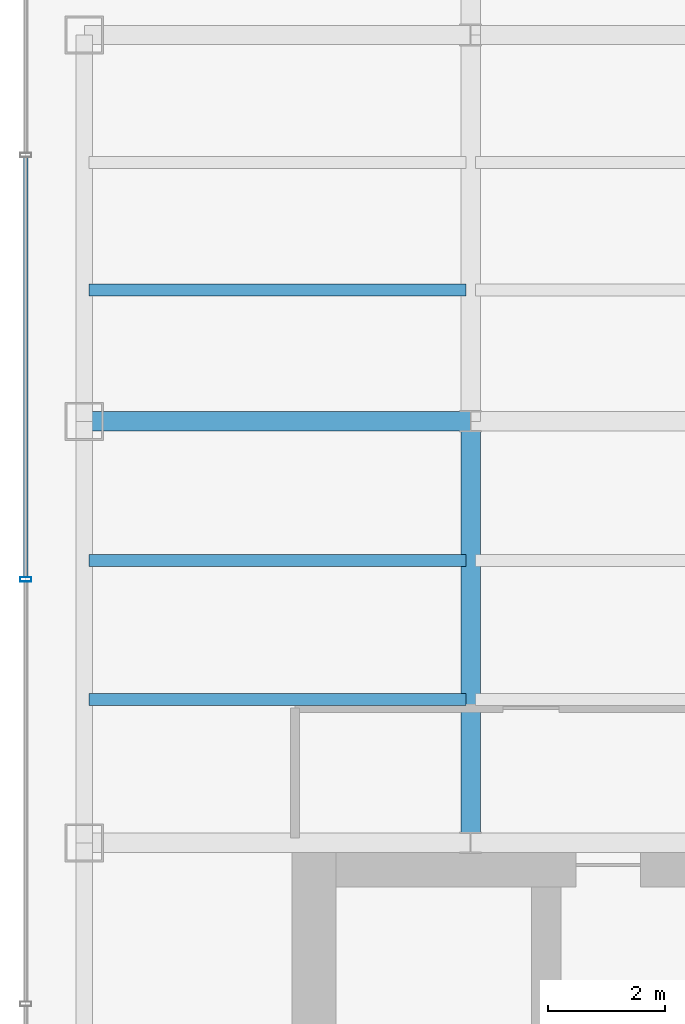
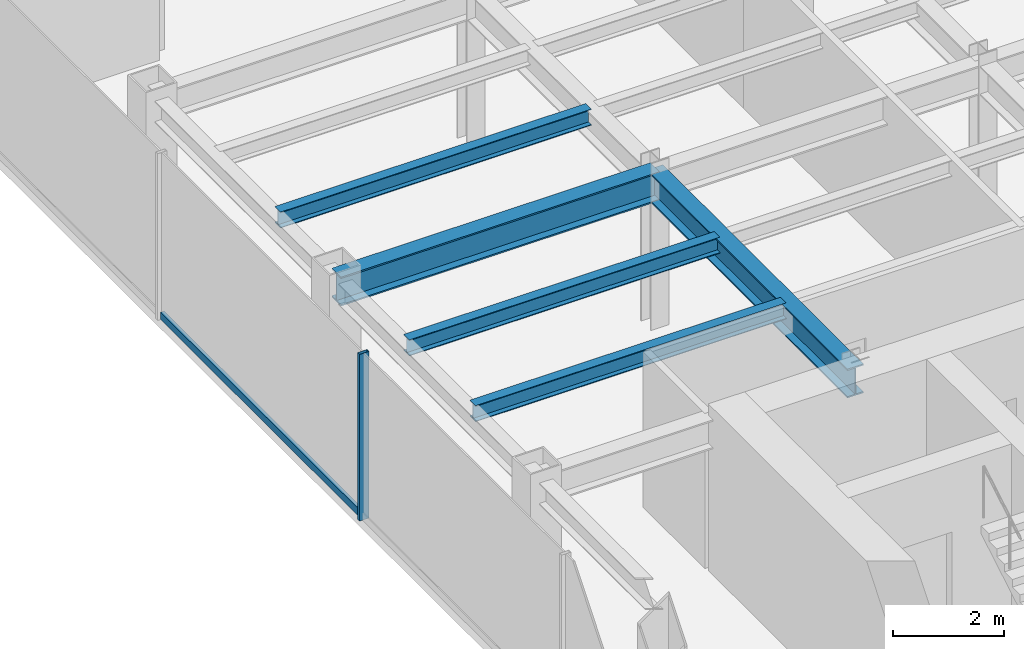
# One storey, part 5 of 25: 5 beams, 2 members, 1 element without a shape of its own.
"""IFC4 building model written with IfcOpenShell, lengths in metres."""

from ifc_helpers import new_model, si_unit, derived_unit, direction, frame, origin, origin_2d, place, context, subcontext, project, spatial, hollow_rectangle, i_section, extrude, source, transform, mapped, material, material_profile, profile_set, type_object, element, aggregate, save


model = new_model("IFC4")

# Units and contexts
model_context = context("Model", 3, precision=1e-05, world=origin(), true_north=direction((0.0, 1.0)))
body_context = subcontext(model_context, "Body", "Model", "MODEL_VIEW")
ifc_project = project(units=[si_unit("LENGTHUNIT", "METRE"), si_unit("AREAUNIT", "SQUARE_METRE"), si_unit("VOLUMEUNIT", "CUBIC_METRE"), si_unit("PLANEANGLEUNIT", "RADIAN"), si_unit("MASSUNIT", "GRAM", prefix="KILO"), derived_unit("THERMALTRANSMITTANCEUNIT", [(si_unit("POWERUNIT", "WATT"), 1), (si_unit("LENGTHUNIT", "METRE"), -2), (si_unit("THERMODYNAMICTEMPERATUREUNIT", "KELVIN"), -1)])], contexts=[model_context])

# Site, building, storey
site_placement = place(None, origin())
site = spatial("IfcSite", under=ifc_project, at=site_placement, CompositionType="ELEMENT")
building_placement = place(site_placement, origin())
building = spatial("IfcBuilding", under=site, at=building_placement, Name="Skarnbrae Concourse Arena and Tower", CompositionType="ELEMENT")
storey_placement = place(building_placement, frame((0.0, 0.0, 166.14990234375)))
storey = spatial("IfcBuildingStorey", under=building, at=storey_placement, Name="L42", CompositionType="ELEMENT", Elevation=166.14990234375)

# Beams
ifc_material_1 = material(Name="Steel CSA G40.21 350W", Category="steel")
ifc_material_profile_1 = material_profile(ifc_material_1, i_section(OverallWidth=0.3291015625, OverallDepth=0.635009765625, WebThickness=0.017822265625, FlangeThickness=0.031005859375, at=origin_2d()), Name="W610X241")
ifc_profile_set_1 = profile_set([ifc_material_profile_1], Name="Steel CSA G40.21 350W")
beam_type_1 = type_object("IfcBeamType", Name="BM-GIRD-W610X241", PredefinedType="BEAM", material=ifc_profile_set_1)
shared_shape_1 = source(origin(), body_context, "Body", "SweptSolid", [
    extrude(i_section(OverallWidth=0.3291015625, OverallDepth=0.635009765625, WebThickness=0.017822265625, FlangeThickness=0.031005859375, at=origin_2d()), origin(), (0.0, 0.0, 1.0), 6.60009765625),
])
beam_1_placement = place(storey_placement, frame((1.0, 21.199951171875, 3.08251953125), z_axis=(1.0, 0.0, 0.0), x_axis=(0.0, 1.0, 0.0)))
element("IfcBeam", 1, at=beam_1_placement, inside=storey, type_object=beam_type_1, Name="L42 Primary E-W girder Y21.2-1", PredefinedType="BEAM", context=body_context, shape_type="MappedRepresentation", body=[
    mapped(shared_shape_1, transform((0.0, 0.0, 0.0))),
])
shared_shape_2 = source(origin(), body_context, "Body", "SweptSolid", [
    extrude(i_section(OverallWidth=0.3291015625, OverallDepth=0.635009765625, WebThickness=0.017822265625, FlangeThickness=0.031005859375, at=origin_2d()), origin(), (0.0, 0.0, 1.0), 7.199951171875),
])
beam_2_placement = place(storey_placement, frame((7.60009765625, 14.0, 3.08251953125), z_axis=(0.0, 1.0, 0.0), x_axis=(-1.0, 0.0, 0.0)))
element("IfcBeam", 2, at=beam_2_placement, inside=storey, type_object=beam_type_1, Name="L42 Primary N-S girder X7.6-1", PredefinedType="BEAM", context=body_context, shape_type="MappedRepresentation", body=[
    mapped(shared_shape_2, transform((0.0, 0.0, 0.0))),
])
ifc_material_profile_2 = material_profile(ifc_material_1, i_section(OverallWidth=0.205078125, OverallDepth=0.35400390625, WebThickness=0.009521484375, FlangeThickness=0.016845703125, at=origin_2d()), Name="W360X79")
ifc_profile_set_2 = profile_set([ifc_material_profile_2], Name="Steel CSA G40.21 350W")
beam_type_2 = type_object("IfcBeamType", Name="BM-JOIST-W360X79", PredefinedType="JOIST", material=ifc_profile_set_2)
shared_shape_3 = source(origin(), body_context, "Body", "SweptSolid", [
    extrude(i_section(OverallWidth=0.205078125, OverallDepth=0.35400390625, WebThickness=0.009521484375, FlangeThickness=0.016845703125, at=origin_2d()), origin(), (0.0, 0.0, 1.0), 6.43994140625),
])
for number, where, z_axis, x_axis, name in (
    (3, (1.080078125, 16.447998046875, 3.22314453125), (1.0, 0.0, 0.0), (0.0, 1.0, 0.0), "L42 Secondary floor joist 1.1.1"),
    (4, (1.080078125, 18.823974609375, 3.22314453125), (1.0, 0.0, 0.0), (0.0, 1.0, 0.0), "L42 Secondary floor joist 1.2.1"),
    (5, (1.080078125, 23.444091796875, 3.22314453125), (1.0, 0.0, 0.0), (0.0, 1.0, 0.0), "L42 Secondary floor joist 2.1.1"),
):
    element("IfcBeam", number, at=place(storey_placement, frame(where, z_axis=z_axis, x_axis=x_axis)), inside=storey, type_object=beam_type_2, Name=name, PredefinedType="JOIST", context=body_context, shape_type="MappedRepresentation", body=[
        mapped(shared_shape_3, transform((0.0, 0.0, 0.0))),
    ])

# Curtain wall, members
ifc_material_2 = material(Name="Bronze anodised aluminium 6063-T6", Category="aluminium")
curtain_wall_type = type_object("IfcCurtainWallType", Name="CW-SYS-04-MIDZONE", PredefinedType="USERDEFINED", material=ifc_material_2)
curtain_wall_placement = place(storey_placement, origin())
curtain_wall = element("IfcCurtainWall", 6, at=curtain_wall_placement, inside=storey, type_object=curtain_wall_type, Name="L42 Unitised curtain wall CW-L42-E18", ObjectType="UNITISED CURTAIN WALL", PredefinedType="USERDEFINED")
ifc_material_profile_3 = material_profile(ifc_material_2, hollow_rectangle(XDim=0.074951171875, YDim=0.195068359375, WallThickness=0.00439453125, at=origin_2d()), Name="ALU-MULL-75X195")
ifc_profile_set_3 = profile_set([ifc_material_profile_3], Name="Bronze anodised aluminium 6063-T6")
member_type_1 = type_object("IfcMemberType", Name="CWM-CW-04", PredefinedType="MULLION", material=ifc_profile_set_3)
shared_shape_4 = source(origin(), body_context, "Body", "SweptSolid", [
    extrude(hollow_rectangle(XDim=0.074951171875, YDim=0.195068359375, WallThickness=0.00439453125, at=origin_2d()), origin(), (0.0, 0.0, 1.0), 3.650146484375),
])
member_1_placement = place(storey_placement, frame((0.0, 18.5, 0.0), z_axis=(0.0, 0.0, 1.0), x_axis=(0.0, -1.0, 0.0)))
member_1 = element("IfcMember", 7, at=member_1_placement, type_object=member_type_1, Name="CW-L42-E18 Mullion 3", PredefinedType="MULLION", context=body_context, shape_type="MappedRepresentation", body=[
    mapped(shared_shape_4, transform((0.0, 0.0, 0.0))),
])
ifc_material_profile_4 = material_profile(ifc_material_2, hollow_rectangle(XDim=0.074951171875, YDim=0.159912109375, WallThickness=0.00439453125, at=origin_2d()), Name="ALU-TRAN-75X160")
ifc_profile_set_4 = profile_set([ifc_material_profile_4], Name="Bronze anodised aluminium 6063-T6")
member_type_2 = type_object("IfcMemberType", Name="CWT-CW-04", PredefinedType="USERDEFINED", material=ifc_profile_set_4)
shared_shape_5 = source(origin(), body_context, "Body", "SweptSolid", [
    extrude(hollow_rectangle(XDim=0.074951171875, YDim=0.159912109375, WallThickness=0.00439453125, at=origin_2d()), origin(), (0.0, 0.0, 1.0), 7.1748046875),
])
member_2_placement = place(storey_placement, frame((0.0, 25.71240234375, 0.080078125), z_axis=(0.0, -1.0, 0.0), x_axis=(1.0, 0.0, 0.0)))
member_2 = element("IfcMember", 8, at=member_2_placement, type_object=member_type_2, Name="CW-L42-E18 Transom 2", ObjectType="TRANSOM", PredefinedType="USERDEFINED", context=body_context, shape_type="MappedRepresentation", body=[
    mapped(shared_shape_5, transform((0.0, 0.0, 0.0))),
])
aggregate(curtain_wall, [member_1, member_2])

save(model, "model.ifc")
